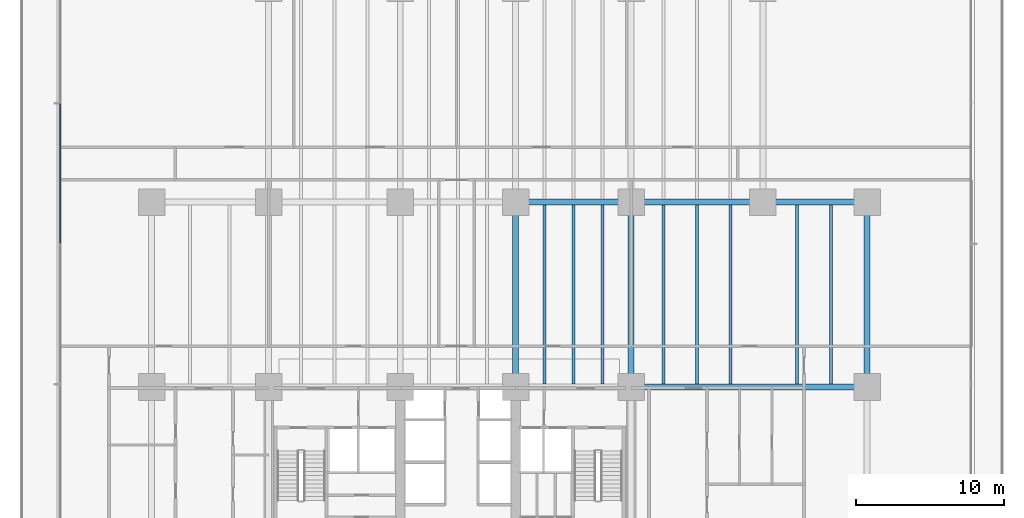
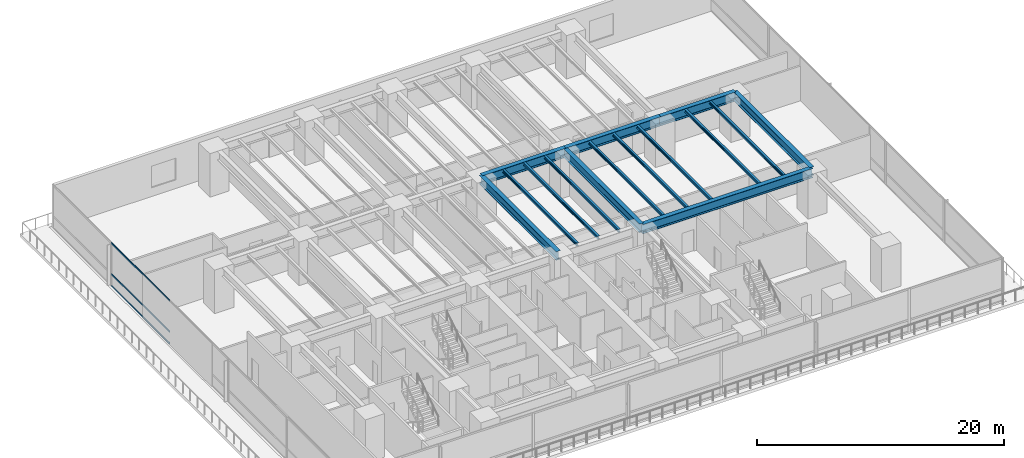
# One storey, part 4 of 26: 15 beams, 3 members, 1 element without a shape of its own.
"""IFC4 building model written with IfcOpenShell, lengths in metres."""

from ifc_helpers import new_model, si_unit, direction, frame, origin, origin_2d, place, context, subcontext, project, spatial, rectangle, i_section, extrude, material, layer, layer_set, material_profile, profile_set, type_object, element, aggregate, save


model = new_model("IFC4")

# Units and contexts
model_context = context("Model", 3, precision=1e-05, world=origin(), true_north=direction((0.0, 1.0)))
body_context = subcontext(model_context, "Body", "Model", "MODEL_VIEW")
ifc_project = project(units=[si_unit("LENGTHUNIT", "METRE"), si_unit("AREAUNIT", "SQUARE_METRE"), si_unit("VOLUMEUNIT", "CUBIC_METRE"), si_unit("PLANEANGLEUNIT", "RADIAN"), si_unit("MASSUNIT", "GRAM", prefix="KILO")], contexts=[model_context])

# Site, building, storey
site_placement = place(None, origin())
site = spatial("IfcSite", under=ifc_project, at=site_placement, CompositionType="ELEMENT")
building_placement = place(site_placement, origin())
building = spatial("IfcBuilding", under=site, at=building_placement, Name="Qalmaran Belvedere Hotel", CompositionType="ELEMENT")
storey_placement = place(building_placement, frame((0.0, 0.0, 19.199951171875)))
storey = spatial("IfcBuildingStorey", under=building, at=storey_placement, Name="L04", CompositionType="ELEMENT", Elevation=19.199951171875)

# Beams
ifc_material_1 = material(Name="Steel S355JR", Category="steel")
ifc_material_profile_1 = material_profile(ifc_material_1, i_section(OverallWidth=0.202880859375, OverallDepth=0.302978515625, WebThickness=0.007568359375, FlangeThickness=0.01318359375, FilletRadius=0.012939453125, at=origin_2d()), Name="W310X60")
ifc_profile_set_1 = profile_set([ifc_material_profile_1], Name="Steel S355JR")
beam_type_1 = type_object("IfcBeamType", Name="BM-JST-W310X60", PredefinedType="JOIST", material=ifc_profile_set_1)
for number, where, z_axis, x_axis, name in (
    (1, (38.949951171875, 20.70703125, 4.1484375), (0.0, 1.0, 0.0), (-1.0, 0.0, 0.0), "L04 Podium South-Ballroom Joist 055"),
    (2, (40.89990234375, 20.70703125, 4.1484375), (0.0, 1.0, 0.0), (-1.0, 0.0, 0.0), "L04 Podium South-Ballroom Joist 057"),
    (3, (42.85009765625, 20.70703125, 4.1484375), (0.0, 1.0, 0.0), (-1.0, 0.0, 0.0), "L04 Podium South-Ballroom Joist 059"),
    (4, (47.0, 20.70703125, 4.1484375), (0.0, 1.0, 0.0), (-1.0, 0.0, 0.0), "L04 Podium South-Ballroom Joist 061"),
    (5, (49.25, 20.70703125, 4.1484375), (0.0, 1.0, 0.0), (-1.0, 0.0, 0.0), "L04 Podium South-Ballroom Joist 063"),
    (6, (51.5, 20.70703125, 4.1484375), (0.0, 1.0, 0.0), (-1.0, 0.0, 0.0), "L04 Podium South-Ballroom Joist 065"),
    (7, (56.0, 20.70703125, 4.1484375), (0.0, 1.0, 0.0), (-1.0, 0.0, 0.0), "L04 Podium South-Ballroom Joist 067"),
    (8, (58.300048828125, 20.70703125, 4.1484375), (0.0, 1.0, 0.0), (-1.0, 0.0, 0.0), "L04 Podium South-Ballroom Joist 068"),
):
    element("IfcBeam", number, at=place(storey_placement, frame(where, z_axis=z_axis, x_axis=x_axis)), inside=storey, type_object=beam_type_1, Name=name, PredefinedType="JOIST", context=body_context, shape_type="SweptSolid", body=[
        extrude(i_section(OverallWidth=0.202880859375, OverallDepth=0.302978515625, WebThickness=0.007568359375, FlangeThickness=0.01318359375, FilletRadius=0.012939453125, at=origin_2d()), origin(), (0.0, 0.0, 1.0), 12.0859375),
    ])
ifc_material_profile_2 = material_profile(ifc_material_1, i_section(OverallWidth=0.41796875, OverallDepth=0.912109375, WebThickness=0.019287109375, FlangeThickness=0.031982421875, FilletRadius=0.02392578125, at=origin_2d()), Name="W920X342")
ifc_profile_set_2 = profile_set([ifc_material_profile_2], Name="Steel S355JR")
beam_type_2 = type_object("IfcBeamType", Name="BM-PG2-W920X342", PredefinedType="USERDEFINED", material=ifc_profile_set_2)
beam_1_placement = place(storey_placement, frame((44.800048828125, 20.5, 3.843994140625), z_axis=(1.0, 0.0, 0.0), x_axis=(0.0, 1.0, 0.0)))
element("IfcBeam", 9, at=beam_1_placement, inside=storey, type_object=beam_type_2, Name="L04 Podium Primary Girder GX11", ObjectType="GIRDER", PredefinedType="USERDEFINED", context=body_context, shape_type="SweptSolid", body=[
    extrude(i_section(OverallWidth=0.41796875, OverallDepth=0.912109375, WebThickness=0.019287109375, FlangeThickness=0.031982421875, FilletRadius=0.02392578125, at=origin_2d()), origin(), (0.0, 0.0, 1.0), 15.949951171875),
])
beam_2_placement = place(storey_placement, frame((37.0, 33.0, 3.843994140625), z_axis=(1.0, 0.0, 0.0), x_axis=(0.0, 1.0, 0.0)))
element("IfcBeam", 10, at=beam_2_placement, inside=storey, type_object=beam_type_2, Name="L04 Podium Primary Girder GX15", ObjectType="GIRDER", PredefinedType="USERDEFINED", context=body_context, shape_type="SweptSolid", body=[
    extrude(i_section(OverallWidth=0.41796875, OverallDepth=0.912109375, WebThickness=0.019287109375, FlangeThickness=0.031982421875, FilletRadius=0.02392578125, at=origin_2d()), origin(), (0.0, 0.0, 1.0), 7.800048828125),
])
beam_3_placement = place(storey_placement, frame((44.800048828125, 33.0, 3.843994140625), z_axis=(1.0, 0.0, 0.0), x_axis=(0.0, 1.0, 0.0)))
element("IfcBeam", 11, at=beam_3_placement, inside=storey, type_object=beam_type_2, Name="L04 Podium Primary Girder GX16", ObjectType="GIRDER", PredefinedType="USERDEFINED", context=body_context, shape_type="SweptSolid", body=[
    extrude(i_section(OverallWidth=0.41796875, OverallDepth=0.912109375, WebThickness=0.019287109375, FlangeThickness=0.031982421875, FilletRadius=0.02392578125, at=origin_2d()), origin(), (0.0, 0.0, 1.0), 8.89990234375),
])
beam_4_placement = place(storey_placement, frame((53.699951171875, 33.0, 3.843994140625), z_axis=(1.0, 0.0, 0.0), x_axis=(0.0, 1.0, 0.0)))
element("IfcBeam", 12, at=beam_4_placement, inside=storey, type_object=beam_type_2, Name="L04 Podium Primary Girder GX17", ObjectType="GIRDER", PredefinedType="USERDEFINED", context=body_context, shape_type="SweptSolid", body=[
    extrude(i_section(OverallWidth=0.41796875, OverallDepth=0.912109375, WebThickness=0.019287109375, FlangeThickness=0.031982421875, FilletRadius=0.02392578125, at=origin_2d()), origin(), (0.0, 0.0, 1.0), 7.050048828125),
])
ifc_material_profile_3 = material_profile(ifc_material_1, i_section(OverallWidth=0.39990234375, OverallDepth=0.85498046875, WebThickness=0.018310546875, FlangeThickness=0.029296875, FilletRadius=0.02392578125, at=origin_2d()), Name="W840X299")
ifc_profile_set_3 = profile_set([ifc_material_profile_3], Name="Steel S355JR")
beam_type_3 = type_object("IfcBeamType", Name="BM-PG3-W840X299", PredefinedType="USERDEFINED", material=ifc_profile_set_3)
for number, where, z_axis, x_axis, name in (
    (13, (37.0, 20.5, 3.87255859375), (0.0, 1.0, 0.0), (-1.0, 0.0, 0.0), "L04 Podium Transverse Girder GY32"),
    (14, (44.800048828125, 20.5, 3.87255859375), (0.0, 1.0, 0.0), (-1.0, 0.0, 0.0), "L04 Podium Transverse Girder GY36"),
    (15, (60.75, 20.5, 3.87255859375), (0.0, 1.0, 0.0), (-1.0, 0.0, 0.0), "L04 Podium Transverse Girder GY40"),
):
    element("IfcBeam", number, at=place(storey_placement, frame(where, z_axis=z_axis, x_axis=x_axis)), inside=storey, type_object=beam_type_3, Name=name, ObjectType="GIRDER", PredefinedType="USERDEFINED", context=body_context, shape_type="SweptSolid", body=[
        extrude(i_section(OverallWidth=0.39990234375, OverallDepth=0.85498046875, WebThickness=0.018310546875, FlangeThickness=0.029296875, FilletRadius=0.02392578125, at=origin_2d()), origin(), (0.0, 0.0, 1.0), 12.5),
    ])

# Curtain wall, members
ifc_material_2 = material(Name="Anodised Bronze Aluminium", Category="aluminium")
ifc_layer = layer(ifc_material_2, 0.219970703125, Name="Anodised Bronze Aluminium")
ifc_layer_set = layer_set([ifc_layer], Name="Anodised Bronze Aluminium")
curtain_wall_type = type_object("IfcCurtainWallType", Name="CW1-PODIUM-BRONZE", PredefinedType="NOTDEFINED", material=ifc_layer_set)
curtain_wall_placement = place(storey_placement, origin())
curtain_wall = element("IfcCurtainWall", 16, at=curtain_wall_placement, inside=storey, type_object=curtain_wall_type, Name="L04 Curtain Wall CW1", PredefinedType="NOTDEFINED")
ifc_material_profile_4 = material_profile(ifc_material_2, rectangle(XDim=0.070068359375, YDim=0.14990234375, at=origin_2d()), Name="CWT70X150")
ifc_profile_set_4 = profile_set([ifc_material_profile_4], Name="Anodised Bronze Aluminium")
member_type = type_object("IfcMemberType", Name="CWT-70X150", PredefinedType="USERDEFINED", material=ifc_profile_set_4)
member_1_placement = place(storey_placement, frame((6.219970703125, 39.650390625, 0.03515625), z_axis=(0.0, -1.0, 0.0), x_axis=(1.0, 0.0, 0.0)))
member_1 = element("IfcMember", 17, at=member_1_placement, type_object=member_type, Name="CW1 transom 2.1", ObjectType="TRANSOM", PredefinedType="USERDEFINED", context=body_context, shape_type="SweptSolid", body=[
    extrude(rectangle(XDim=0.070068359375, YDim=0.14990234375, at=origin_2d()), origin(), (0.0, 0.0, 1.0), 9.4169921875),
])
member_2_placement = place(storey_placement, frame((6.219970703125, 39.650390625, 1.2041015625), z_axis=(0.0, -1.0, 0.0), x_axis=(1.0, 0.0, 0.0)))
member_2 = element("IfcMember", 18, at=member_2_placement, type_object=member_type, Name="CW1 transom 2.2", ObjectType="TRANSOM", PredefinedType="USERDEFINED", context=body_context, shape_type="SweptSolid", body=[
    extrude(rectangle(XDim=0.070068359375, YDim=0.14990234375, at=origin_2d()), origin(), (0.0, 0.0, 1.0), 9.4169921875),
])
member_3_placement = place(storey_placement, frame((6.219970703125, 39.650390625, 4.26513671875), z_axis=(0.0, -1.0, 0.0), x_axis=(1.0, 0.0, 0.0)))
member_3 = element("IfcMember", 19, at=member_3_placement, type_object=member_type, Name="CW1 transom 2.3", ObjectType="TRANSOM", PredefinedType="USERDEFINED", context=body_context, shape_type="SweptSolid", body=[
    extrude(rectangle(XDim=0.070068359375, YDim=0.14990234375, at=origin_2d()), origin(), (0.0, 0.0, 1.0), 9.4169921875),
])
aggregate(curtain_wall, [member_1, member_2, member_3])

save(model, "model.ifc")
